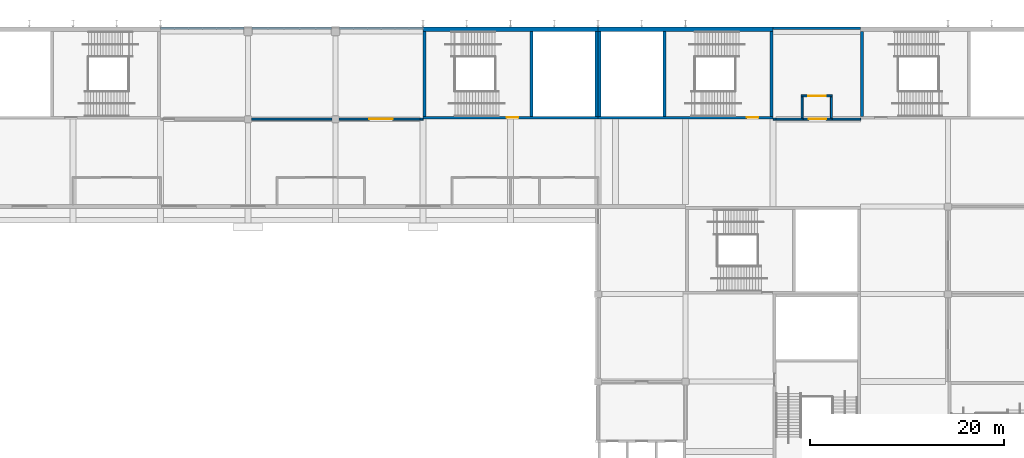
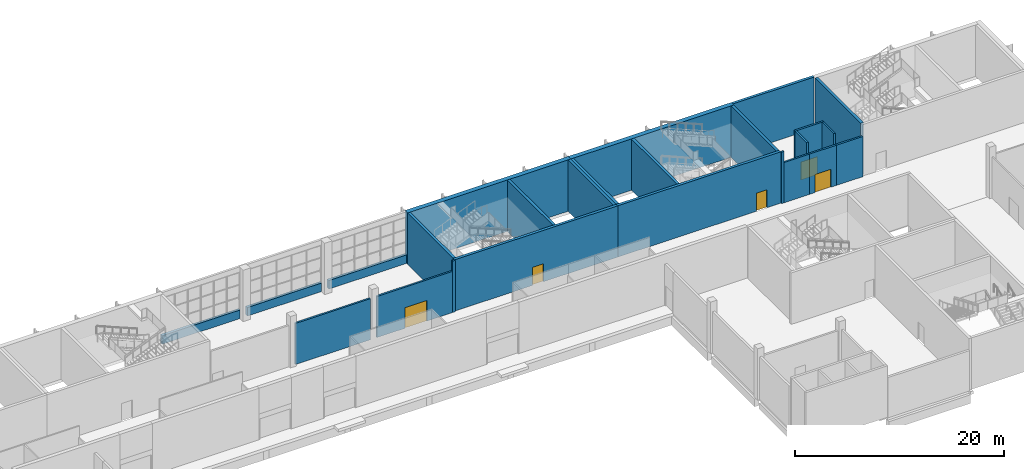
# One storey, part 48 of 89: 25 walls, 5 doors, 5 openings.
"""IFC4 building model written with IfcOpenShell, lengths in metres."""

from ifc_helpers import new_model, si_unit, direction, frame, frame_2d, origin, place, context, subcontext, project, spatial, rectangle, extrude, material, layer, layer_set, type_object, element, fill, save


model = new_model("IFC4")

# Units and contexts
model_context = context("Model", 3, precision=1e-05, world=origin(), true_north=direction((0.0, 1.0)))
body_context = subcontext(model_context, "Body", "Model", "MODEL_VIEW")
ifc_project = project(units=[si_unit("LENGTHUNIT", "METRE"), si_unit("AREAUNIT", "SQUARE_METRE"), si_unit("VOLUMEUNIT", "CUBIC_METRE"), si_unit("PLANEANGLEUNIT", "RADIAN"), si_unit("MASSUNIT", "GRAM", prefix="KILO")], contexts=[model_context])

# Site, building, storey
site_placement = place(None, origin())
site = spatial("IfcSite", under=ifc_project, at=site_placement, CompositionType="ELEMENT")
building_placement = place(site_placement, origin())
building = spatial("IfcBuilding", under=site, at=building_placement, Name="Silverbay Arena", CompositionType="ELEMENT")
storey_placement = place(building_placement, frame((0.0, 0.0, 22.0)))
storey = spatial("IfcBuildingStorey", under=building, at=storey_placement, Name="L03", CompositionType="ELEMENT", Elevation=22.0)

# Walls
ifc_material_1 = material(Name="Concrete Grade C45 precast, light finish", Category="concrete")
ifc_layer_1 = layer(ifc_material_1, 0.300048828125)
ifc_layer_set_1 = layer_set([ifc_layer_1], Name="Concrete Grade C45 precast, light finish")
wall_type_1 = type_object("IfcWallType", Name="Cladded external wall 300", PredefinedType="SOLIDWALL", material=ifc_layer_set_1)
wall_1_placement = place(storey_placement, frame((125.60009765625, 144.35009765625, 0.0), z_axis=(0.0, 0.0, 1.0), x_axis=(-1.0, 0.0, 0.0)))
element("IfcWall", 1, at=wall_1_placement, inside=storey, type_object=wall_type_1, Name="North sill wall L03 bay 8", PredefinedType="SOLIDWALL", context=body_context, shape_type="SweptSolid", body=[
    extrude(rectangle(XDim=8.60009765625, YDim=0.300048828125, at=frame_2d((4.300048828125, 0.0))), origin(), (0.0, 0.0, 1.0), 1.0),
])
wall_2_placement = place(storey_placement, frame((134.60009765625, 144.35009765625, 0.0), z_axis=(0.0, 0.0, 1.0), x_axis=(-1.0, 0.0, 0.0)))
element("IfcWall", 2, at=wall_2_placement, inside=storey, type_object=wall_type_1, Name="North sill wall L03 bay 9", PredefinedType="SOLIDWALL", context=body_context, shape_type="SweptSolid", body=[
    extrude(rectangle(XDim=8.2001953125, YDim=0.300048828125, at=frame_2d((4.10009765625, 0.0))), origin(), (0.0, 0.0, 1.0), 1.0),
])
wall_3_placement = place(storey_placement, frame((144.0, 144.35009765625, 0.0), z_axis=(0.0, 0.0, 1.0), x_axis=(-1.0, 0.0, 0.0)))
element("IfcWall", 3, at=wall_3_placement, inside=storey, type_object=wall_type_1, Name="North sill wall L03 bay 10", PredefinedType="SOLIDWALL", context=body_context, shape_type="SweptSolid", body=[
    extrude(rectangle(XDim=8.60009765625, YDim=0.300048828125, at=frame_2d((4.300048828125, 0.0))), origin(), (0.0, 0.0, 1.0), 1.0),
])
ifc_material_2 = material(Name="Concrete Grade C45 precast, light finish", Category="concrete")
ifc_layer_2 = layer(ifc_material_2, 0.300048828125)
ifc_layer_set_2 = layer_set([ifc_layer_2], Name="Concrete Grade C45 precast, light finish")
wall_type_2 = type_object("IfcWallType", Name="Cladded external wall 300 EI 120", PredefinedType="SOLIDWALL", material=ifc_layer_set_2)
wall_4_placement = place(storey_placement, frame((189.0, 144.35009765625, 0.0), z_axis=(0.0, 0.0, 1.0), x_axis=(-1.0, 0.0, 0.0)))
element("IfcWall", 4, at=wall_4_placement, inside=storey, type_object=wall_type_2, Name="North external wall L03 bay 15", PredefinedType="SOLIDWALL", context=body_context, shape_type="SweptSolid", body=[
    extrude(rectangle(XDim=9.0, YDim=0.300048828125, at=frame_2d((4.5, 0.0))), origin(), (0.0, 0.0, 1.0), 6.0),
])

# Wall, opening, door
ifc_material_3 = material(Name="Concrete Grade C45", Category="concrete")
ifc_layer_3 = layer(ifc_material_3, 0.300048828125)
ifc_layer_set_3 = layer_set([ifc_layer_3], Name="Concrete Grade C45")
wall_type_3 = type_object("IfcWallType", Name="Core wall RC 300 EI 120", PredefinedType="SHEAR", material=ifc_layer_set_3)
wall_5_placement = place(storey_placement, frame((144.0, 135.14990234375, 0.0), z_axis=(0.0, 0.0, 1.0), x_axis=(1.0, 0.0, 0.0)))
wall_5 = element("IfcWall", 5, at=wall_5_placement, inside=storey, type_object=wall_type_3, Name="Core wall ST-N3 L03 door side", PredefinedType="SHEAR", context=body_context, shape_type="SweptSolid", body=[
    extrude(rectangle(XDim=18.0, YDim=0.300048828125, at=frame_2d((9.0, 0.0))), origin(), (0.0, 0.0, 1.0), 6.0),
])
opening_1_placement = place(wall_5_placement, frame((8.60009765625, 0.0, 0.0)))
opening_1 = element("IfcOpeningElement", 6, at=opening_1_placement, cuts=wall_5, Name="Opening L03-059", PredefinedType="OPENING", context=body_context, shape_type="SweptSolid", body=[
    extrude(rectangle(XDim=1.199951171875, YDim=2.10009765625, at=frame_2d((0.60009765625, 1.050048828125))), frame((0.0, 0.16015625, 0.0), z_axis=(0.0, -1.0, 0.0), x_axis=(1.0, 0.0, 0.0)), (0.0, 0.0, 1.0), 0.320068359375),
])
ifc_material_4 = material(Name="Steel fire door", Category="steel")
door_type_1 = type_object("IfcDoorType", Name="Stair door 1200 x 2100 fire door", OperationType="SINGLE_SWING_LEFT", PredefinedType="DOOR", material=ifc_material_4)
door_1_placement = place(opening_1_placement, origin())
door_1 = element("IfcDoor", 7, at=door_1_placement, inside=storey, type_object=door_type_1, Name="Stair door ST-N3 L03", OperationType="SINGLE_SWING_RIGHT", OverallHeight=2.10009765625, OverallWidth=1.199951171875, PredefinedType="DOOR", context=body_context, shape_type="SweptSolid", body=[
    extrude(rectangle(XDim=1.199951171875, YDim=2.10009765625, at=frame_2d((0.60009765625, 1.050048828125))), frame((0.0, 0.02490234375, 0.0), z_axis=(0.0, -1.0, 0.0), x_axis=(1.0, 0.0, 0.0)), (0.0, 0.0, 1.0), 0.050048828125),
])
fill(opening_1, door_1)

# Walls
for number, where, z_axis, x_axis, name in (
    (8, (144.14990234375, 135.300048828125, 0.0), (0.0, 0.0, 1.0), (0.0, 1.0, 0.0), "Core wall ST-N3 L03 end 1"),
    (9, (161.85009765625, 135.300048828125, 0.0), (0.0, 0.0, 1.0), (0.0, 1.0, 0.0), "Core wall ST-N3 L03 end 2"),
    (10, (155.14990234375, 135.300048828125, 0.0), (0.0, 0.0, 1.0), (0.0, 1.0, 0.0), "Core wall ST-N3 L03 stair enclosure"),
):
    element("IfcWall", number, at=place(storey_placement, frame(where, z_axis=z_axis, x_axis=x_axis)), inside=storey, type_object=wall_type_3, Name=name, PredefinedType="SHEAR", context=body_context, shape_type="SweptSolid", body=[
        extrude(rectangle(XDim=8.699951171875, YDim=0.300048828125, at=frame_2d((4.35009765625, 0.0))), origin(), (0.0, 0.0, 1.0), 6.0),
    ])

# Wall, opening, door
wall_6_placement = place(storey_placement, frame((180.0, 135.14990234375, 0.0), z_axis=(0.0, 0.0, 1.0), x_axis=(-1.0, 0.0, 0.0)))
wall_6 = element("IfcWall", 11, at=wall_6_placement, inside=storey, type_object=wall_type_3, Name="Core wall ST-N4 L03 door side", PredefinedType="SHEAR", context=body_context, shape_type="SweptSolid", body=[
    extrude(rectangle(XDim=18.0, YDim=0.300048828125, at=frame_2d((9.0, 0.0))), origin(), (0.0, 0.0, 1.0), 6.0),
])
opening_2_placement = place(wall_6_placement, frame((1.5, 0.0, 0.0)))
opening_2 = element("IfcOpeningElement", 12, at=opening_2_placement, cuts=wall_6, Name="Opening L03-060", PredefinedType="OPENING", context=body_context, shape_type="SweptSolid", body=[
    extrude(rectangle(XDim=1.199951171875, YDim=2.10009765625, at=frame_2d((0.60009765625, 1.050048828125))), frame((0.0, 0.16015625, 0.0), z_axis=(0.0, -1.0, 0.0), x_axis=(1.0, 0.0, 0.0)), (0.0, 0.0, 1.0), 0.320068359375),
])
door_2_placement = place(opening_2_placement, frame((1.199951171875, 0.0, 0.0), z_axis=(0.0, 0.0, 1.0), x_axis=(-1.0, 0.0, 0.0)))
door_2 = element("IfcDoor", 13, at=door_2_placement, inside=storey, type_object=door_type_1, Name="Stair door ST-N4 L03", OperationType="SINGLE_SWING_RIGHT", OverallHeight=2.10009765625, OverallWidth=1.199951171875, PredefinedType="DOOR", context=body_context, shape_type="SweptSolid", body=[
    extrude(rectangle(XDim=1.199951171875, YDim=2.10009765625, at=frame_2d((0.60009765625, 1.050048828125))), frame((0.0, 0.02490234375, 0.0), z_axis=(0.0, -1.0, 0.0), x_axis=(1.0, 0.0, 0.0)), (0.0, 0.0, 1.0), 0.050048828125),
])
fill(opening_2, door_2)

# Walls
for number, where, z_axis, x_axis, name in (
    (14, (179.85009765625, 135.300048828125, 0.0), (0.0, 0.0, 1.0), (0.0, 1.0, 0.0), "Core wall ST-N4 L03 end 1"),
    (15, (162.14990234375, 135.300048828125, 0.0), (0.0, 0.0, 1.0), (0.0, 1.0, 0.0), "Core wall ST-N4 L03 end 2"),
    (16, (168.85009765625, 135.300048828125, 0.0), (0.0, 0.0, 1.0), (0.0, 1.0, 0.0), "Core wall ST-N4 L03 stair enclosure"),
    (17, (189.14990234375, 135.300048828125, 0.0), (0.0, 0.0, 1.0), (0.0, 1.0, 0.0), "Core wall ST-N6 L03 end 1"),
):
    element("IfcWall", number, at=place(storey_placement, frame(where, z_axis=z_axis, x_axis=x_axis)), inside=storey, type_object=wall_type_3, Name=name, PredefinedType="SHEAR", context=body_context, shape_type="SweptSolid", body=[
        extrude(rectangle(XDim=8.699951171875, YDim=0.300048828125, at=frame_2d((4.35009765625, 0.0))), origin(), (0.0, 0.0, 1.0), 6.0),
    ])
ifc_material_5 = material(Name="Concrete Grade C45", Category="concrete")
ifc_layer_4 = layer(ifc_material_5, 0.5)
ifc_layer_set_4 = layer_set([ifc_layer_4], Name="Concrete Grade C45")
wall_type_4 = type_object("IfcWallType", Name="Core wall RC 500 external EI 120", PredefinedType="SHEAR", material=ifc_layer_set_4)
for number, where, z_axis, x_axis, name in (
    (18, (144.0, 144.25, 0.0), (0.0, 0.0, 1.0), (1.0, 0.0, 0.0), "Core wall ST-N3 L03 facade side"),
    (19, (180.0, 144.25, 0.0), (0.0, 0.0, 1.0), (-1.0, 0.0, 0.0), "Core wall ST-N4 L03 facade side"),
):
    element("IfcWall", number, at=place(storey_placement, frame(where, z_axis=z_axis, x_axis=x_axis)), inside=storey, type_object=wall_type_4, Name=name, PredefinedType="SHEAR", context=body_context, shape_type="SweptSolid", body=[
        extrude(rectangle(XDim=18.0, YDim=0.5, at=frame_2d((9.0, 0.0))), origin(), (0.0, 0.0, 1.0), 6.0),
    ])

# Wall, opening, door
ifc_material_6 = material(Name="Masonry blockwork partition", Category="masonry")
ifc_layer_5 = layer(ifc_material_6, 0.199951171875)
ifc_layer_set_5 = layer_set([ifc_layer_5], Name="Masonry blockwork partition")
wall_type_5 = type_object("IfcWallType", Name="Partition 200 EI 120", PredefinedType="PARTITIONING", material=ifc_layer_set_5)
wall_7_placement = place(storey_placement, frame((135.35009765625, 135.0, 0.0), z_axis=(0.0, 0.0, 1.0), x_axis=(1.0, 0.0, 0.0)))
wall_7 = element("IfcWall", 20, at=wall_7_placement, inside=storey, type_object=wall_type_5, Name="Partition wall", PredefinedType="PARTITIONING", context=body_context, shape_type="SweptSolid", body=[
    extrude(rectangle(XDim=8.349853515625, YDim=0.199951171875, at=frame_2d((4.1748046875, 0.0))), origin(), (0.0, 0.0, 1.0), 4.800048828125),
])
opening_3_placement = place(wall_7_placement, frame((3.125, 0.0, 0.0)))
opening_3 = element("IfcOpeningElement", 21, at=opening_3_placement, cuts=wall_7, Name="Opening L03-007", PredefinedType="OPENING", context=body_context, shape_type="SweptSolid", body=[
    extrude(rectangle(XDim=2.39990234375, YDim=2.39990234375, at=frame_2d((1.199951171875, 1.199951171875))), frame((0.0, 0.10986328125, 0.0), z_axis=(0.0, -1.0, 0.0), x_axis=(1.0, 0.0, 0.0)), (0.0, 0.0, 1.0), 0.219970703125),
])
ifc_material_7 = material(Name="Steel faced timber", Category="steel")
door_type_2 = type_object("IfcDoorType", Name="Double leaf door 2400 x 2400 FD120", OperationType="DOUBLE_DOOR_DOUBLE_SWING", PredefinedType="DOOR", material=ifc_material_7)
door_3_placement = place(opening_3_placement, frame((2.39990234375, 0.0, 0.0), z_axis=(0.0, 0.0, 1.0), x_axis=(-1.0, 0.0, 0.0)))
door_3 = element("IfcDoor", 22, at=door_3_placement, inside=storey, type_object=door_type_2, Name="Door L03-007", OperationType="DOUBLE_DOOR_DOUBLE_SWING", OverallHeight=2.39990234375, OverallWidth=2.39990234375, PredefinedType="DOOR", context=body_context, shape_type="SweptSolid", body=[
    extrude(rectangle(XDim=2.39990234375, YDim=2.39990234375, at=frame_2d((1.199951171875, 1.199951171875))), frame((0.0, 0.02490234375, 0.0), z_axis=(0.0, -1.0, 0.0), x_axis=(1.0, 0.0, 0.0)), (0.0, 0.0, 1.0), 0.050048828125),
])
fill(opening_3, door_3)

# Walls
wall_8_placement = place(storey_placement, frame((126.35009765625, 135.0, 0.0), z_axis=(0.0, 0.0, 1.0), x_axis=(1.0, 0.0, 0.0)))
element("IfcWall", 23, at=wall_8_placement, inside=storey, type_object=wall_type_5, Name="Partition wall", PredefinedType="PARTITIONING", context=body_context, shape_type="SweptSolid", body=[
    extrude(rectangle(XDim=8.2998046875, YDim=0.199951171875, at=frame_2d((4.14990234375, 0.0))), origin(), (0.0, 0.0, 1.0), 4.800048828125),
])
wall_9_placement = place(storey_placement, frame((180.300048828125, 135.0, 0.0), z_axis=(0.0, 0.0, 1.0), x_axis=(1.0, 0.0, 0.0)))
element("IfcWall", 24, at=wall_9_placement, inside=storey, type_object=wall_type_5, Name="Partition wall", PredefinedType="PARTITIONING", context=body_context, shape_type="SweptSolid", body=[
    extrude(rectangle(XDim=2.800048828125, YDim=0.199951171875, at=frame_2d((1.39990234375, 0.0))), origin(), (0.0, 0.0, 1.0), 4.699951171875),
])

# Wall, opening, door
wall_10_placement = place(storey_placement, frame((183.10009765625, 135.0, 0.0), z_axis=(0.0, 0.0, 1.0), x_axis=(1.0, 0.0, 0.0)))
wall_10 = element("IfcWall", 25, at=wall_10_placement, inside=storey, type_object=wall_type_5, Name="Partition wall", PredefinedType="PARTITIONING", context=body_context, shape_type="SweptSolid", body=[
    extrude(rectangle(XDim=3.0, YDim=0.199951171875, at=frame_2d((1.5, 0.0))), origin(), (0.0, 0.0, 1.0), 4.699951171875),
])
opening_4_placement = place(wall_10_placement, frame((0.60009765625, 0.0, 0.0)))
opening_4 = element("IfcOpeningElement", 26, at=opening_4_placement, cuts=wall_10, Name="Opening L03-047", PredefinedType="OPENING", context=body_context, shape_type="SweptSolid", body=[
    extrude(rectangle(XDim=1.800048828125, YDim=2.10009765625, at=frame_2d((0.89990234375, 1.050048828125))), frame((0.0, 0.10986328125, 0.0), z_axis=(0.0, -1.0, 0.0), x_axis=(1.0, 0.0, 0.0)), (0.0, 0.0, 1.0), 0.219970703125),
])
ifc_material_8 = material(Name="Steel faced timber", Category="steel")
door_type_3 = type_object("IfcDoorType", Name="Double leaf door 1800 x 2100 FD120", OperationType="DOUBLE_DOOR_DOUBLE_SWING", PredefinedType="DOOR", material=ifc_material_8)
door_4_placement = place(opening_4_placement, frame((1.800048828125, 0.0, 0.0), z_axis=(0.0, 0.0, 1.0), x_axis=(-1.0, 0.0, 0.0)))
door_4 = element("IfcDoor", 27, at=door_4_placement, inside=storey, type_object=door_type_3, Name="Door L03-047", OperationType="DOUBLE_DOOR_DOUBLE_SWING", OverallHeight=2.10009765625, OverallWidth=1.800048828125, PredefinedType="DOOR", context=body_context, shape_type="SweptSolid", body=[
    extrude(rectangle(XDim=1.800048828125, YDim=2.10009765625, at=frame_2d((0.89990234375, 1.050048828125))), frame((0.0, 0.02490234375, 0.0), z_axis=(0.0, -1.0, 0.0), x_axis=(1.0, 0.0, 0.0)), (0.0, 0.0, 1.0), 0.050048828125),
])
fill(opening_4, door_4)

# Wall
wall_11_placement = place(storey_placement, frame((186.10009765625, 135.0, 0.0), z_axis=(0.0, 0.0, 1.0), x_axis=(1.0, 0.0, 0.0)))
element("IfcWall", 28, at=wall_11_placement, inside=storey, type_object=wall_type_5, Name="Partition wall", PredefinedType="PARTITIONING", context=body_context, shape_type="SweptSolid", body=[
    extrude(rectangle(XDim=2.89990234375, YDim=0.199951171875, at=frame_2d((1.449951171875, 0.0))), origin(), (0.0, 0.0, 1.0), 4.699951171875),
])

# Wall, opening, door
wall_12_placement = place(storey_placement, frame((182.89990234375, 137.39990234375, 0.0), z_axis=(0.0, 0.0, 1.0), x_axis=(1.0, 0.0, 0.0)))
wall_12 = element("IfcWall", 29, at=wall_12_placement, inside=storey, type_object=wall_type_5, Name="Partition wall", PredefinedType="PARTITIONING", context=body_context, shape_type="SweptSolid", body=[
    extrude(rectangle(XDim=3.2001953125, YDim=0.199951171875, at=frame_2d((1.60009765625, 0.0))), origin(), (0.0, 0.0, 1.0), 6.0),
])
opening_5_placement = place(wall_12_placement, frame((0.699951171875, 0.0, 0.0)))
opening_5 = element("IfcOpeningElement", 30, at=opening_5_placement, cuts=wall_12, Name="Opening L03-008", PredefinedType="OPENING", context=body_context, shape_type="SweptSolid", body=[
    extrude(rectangle(XDim=1.800048828125, YDim=2.10009765625, at=frame_2d((0.89990234375, 1.050048828125))), frame((0.0, 0.10986328125, 0.0), z_axis=(0.0, -1.0, 0.0), x_axis=(1.0, 0.0, 0.0)), (0.0, 0.0, 1.0), 0.219970703125),
])
door_5_placement = place(opening_5_placement, origin())
door_5 = element("IfcDoor", 31, at=door_5_placement, inside=storey, type_object=door_type_3, Name="Door L03-008", OperationType="DOUBLE_DOOR_DOUBLE_SWING", OverallHeight=2.10009765625, OverallWidth=1.800048828125, PredefinedType="DOOR", context=body_context, shape_type="SweptSolid", body=[
    extrude(rectangle(XDim=1.800048828125, YDim=2.10009765625, at=frame_2d((0.89990234375, 1.050048828125))), frame((0.0, 0.02490234375, 0.0), z_axis=(0.0, -1.0, 0.0), x_axis=(1.0, 0.0, 0.0)), (0.0, 0.0, 1.0), 0.050048828125),
])
fill(opening_5, door_5)

# Walls
for number, where, z_axis, x_axis, name in (
    (32, (183.0, 135.10009765625, 0.0), (0.0, 0.0, 1.0), (0.0, 1.0, 0.0), "Partition wall"),
    (33, (186.0, 135.10009765625, 0.0), (0.0, 0.0, 1.0), (0.0, 1.0, 0.0), "Partition wall"),
):
    element("IfcWall", number, at=place(storey_placement, frame(where, z_axis=z_axis, x_axis=x_axis)), inside=storey, type_object=wall_type_5, Name=name, PredefinedType="PARTITIONING", context=body_context, shape_type="SweptSolid", body=[
        extrude(rectangle(XDim=2.199951171875, YDim=0.199951171875, at=frame_2d((1.10009765625, 0.0))), origin(), (0.0, 0.0, 1.0), 6.0),
    ])
for number, where, z_axis, x_axis, name in (
    (34, (143.699951171875, 135.0, 0.0), (0.0, 0.0, 1.0), (1.0, 0.0, 0.0), "Partition wall"),
    (35, (180.0, 135.0, 0.0), (0.0, 0.0, 1.0), (1.0, 0.0, 0.0), "Partition wall"),
):
    element("IfcWall", number, at=place(storey_placement, frame(where, z_axis=z_axis, x_axis=x_axis)), inside=storey, type_object=wall_type_5, Name=name, PredefinedType="PARTITIONING", context=body_context, shape_type="SweptSolid", body=[
        extrude(rectangle(XDim=0.300048828125, YDim=0.199951171875, at=frame_2d((0.14990234375, 0.0))), origin(), (0.0, 0.0, 1.0), 6.0),
    ])

save(model, "model.ifc")
